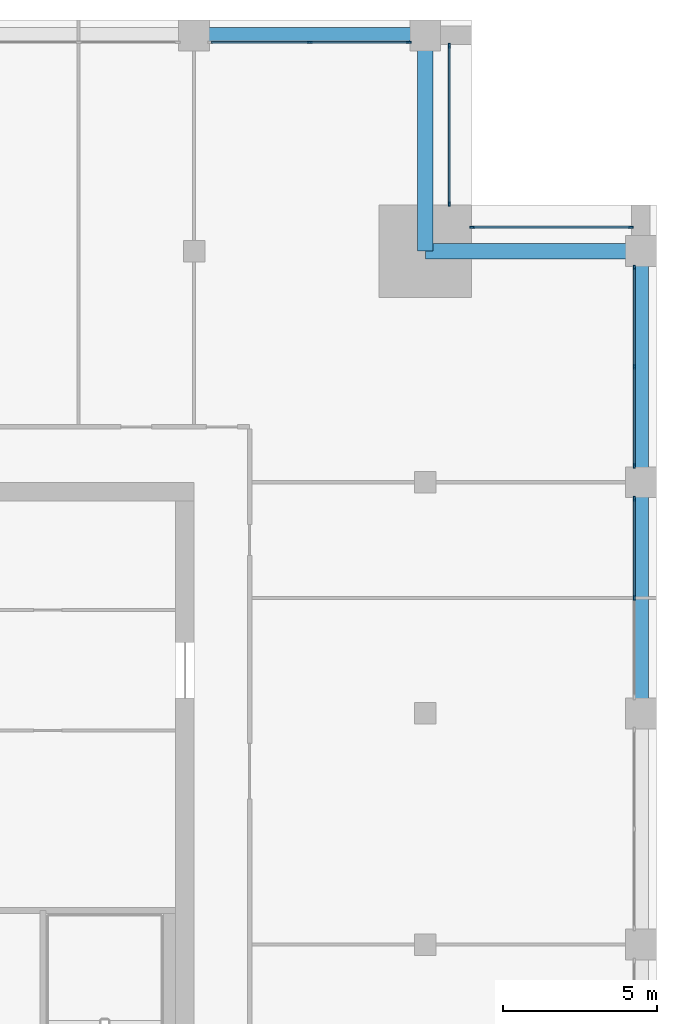
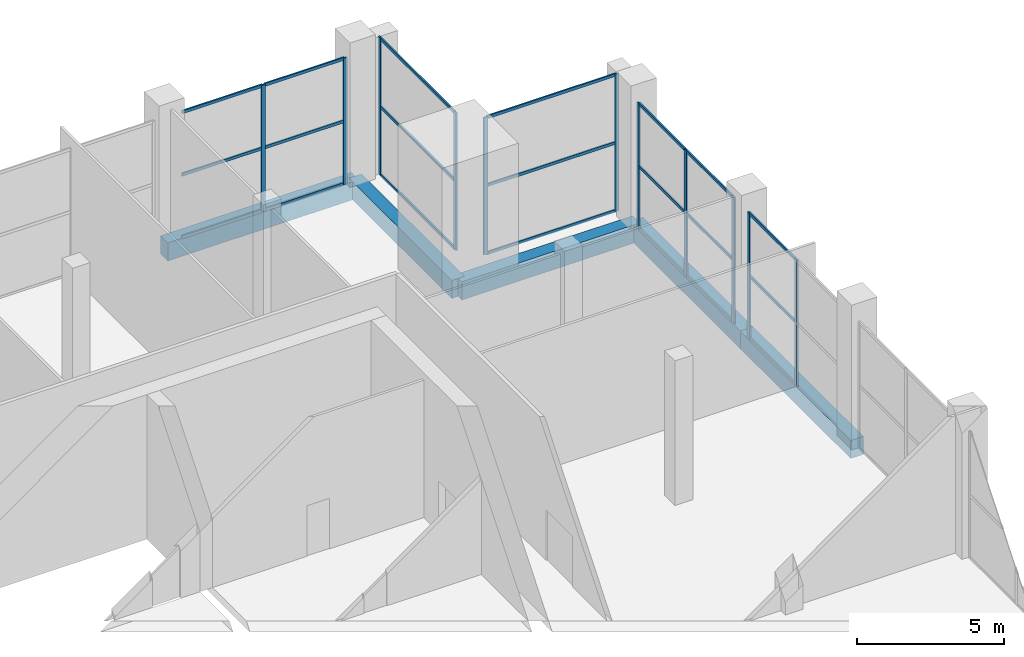
# One storey, part 6 of 15: 32 members, 5 beams, 5 elements without a shape of their own.
"""IFC4 building model written with IfcOpenShell, lengths in metres."""

from ifc_helpers import new_model, si_unit, direction, frame, origin, origin_2d, place, context, subcontext, project, spatial, rectangle, extrude, material, layer, layer_set, material_profile, profile_set, type_object, element, aggregate, save


model = new_model("IFC4")

# Units and contexts
model_context = context("Model", 3, precision=1e-05, world=origin(), true_north=direction((0.0, 1.0)))
body_context = subcontext(model_context, "Body", "Model", "MODEL_VIEW")
ifc_project = project(units=[si_unit("LENGTHUNIT", "METRE"), si_unit("AREAUNIT", "SQUARE_METRE"), si_unit("VOLUMEUNIT", "CUBIC_METRE"), si_unit("PLANEANGLEUNIT", "RADIAN"), si_unit("MASSUNIT", "GRAM", prefix="KILO")], contexts=[model_context])

# Site, building, storey
site_placement = place(None, origin())
site = spatial("IfcSite", under=ifc_project, at=site_placement, CompositionType="ELEMENT")
building_placement = place(site_placement, origin())
building = spatial("IfcBuilding", under=site, at=building_placement, Name="Tamorin Gate", CompositionType="ELEMENT")
storey_placement = place(building_placement, frame((0.0, 0.0, 302.699951171875)))
storey = spatial("IfcBuildingStorey", under=building, at=storey_placement, Name="L75", CompositionType="ELEMENT", Elevation=302.699951171875)

# Curtain wall, members
ifc_material_1 = material(Name="Aluminium mullions and transoms with clear glass", Category="aluminium")
ifc_layer = layer(ifc_material_1, 0.159912109375)
ifc_layer_set = layer_set([ifc_layer], Name="Curtain wall system CW4")
curtain_wall_type = type_object("IfcCurtainWallType", Name="Curtain wall system CW4", PredefinedType="NOTDEFINED", material=ifc_layer_set)
curtain_wall_1_placement = place(storey_placement, origin())
curtain_wall_1 = element("IfcCurtainWall", 1, at=curtain_wall_1_placement, inside=storey, type_object=curtain_wall_type, Name="Curtain wall", PredefinedType="NOTDEFINED")
ifc_material_2 = material(Name="Aluminium", Category="aluminium")
ifc_material_profile_1 = material_profile(ifc_material_2, rectangle(XDim=0.06005859375, YDim=0.159912109375, at=origin_2d()), Name="RECT 60x160")
ifc_profile_set_1 = profile_set([ifc_material_profile_1], Name="Aluminium")
member_type_1 = type_object("IfcMemberType", Name="Aluminium mullion 60x160", PredefinedType="MULLION", material=ifc_profile_set_1)
member_1_placement = place(storey_placement, frame((74.280029296875, 78.75, 0.0), z_axis=(0.0, 0.0, 1.0), x_axis=(-1.0, 0.0, 0.0)))
member_1 = element("IfcMember", 2, at=member_1_placement, type_object=member_type_1, Name="CW4 mullion 2", PredefinedType="MULLION", context=body_context, shape_type="SweptSolid", body=[
    extrude(rectangle(XDim=0.06005859375, YDim=0.159912109375, at=origin_2d()), origin(), (0.0, 0.0, 1.0), 5.25),
])
member_2_placement = place(storey_placement, frame((74.280029296875, 81.969970703125, 0.0), z_axis=(0.0, 0.0, 1.0), x_axis=(-1.0, 0.0, 0.0)))
member_2 = element("IfcMember", 3, at=member_2_placement, type_object=member_type_1, Name="CW4 mullion 3", PredefinedType="MULLION", context=body_context, shape_type="SweptSolid", body=[
    extrude(rectangle(XDim=0.06005859375, YDim=0.159912109375, at=origin_2d()), origin(), (0.0, 0.0, 1.0), 5.25),
])

curtain_wall_2_placement = place(storey_placement, origin())
curtain_wall_2 = element("IfcCurtainWall", 4, at=curtain_wall_2_placement, inside=storey, type_object=curtain_wall_type, Name="Curtain wall", PredefinedType="NOTDEFINED")
member_3_placement = place(storey_placement, frame((74.280029296875, 83.030029296875, 0.0), z_axis=(0.0, 0.0, 1.0), x_axis=(-1.0, 0.0, 0.0)))
member_3 = element("IfcMember", 5, at=member_3_placement, type_object=member_type_1, Name="CW4 mullion 1", PredefinedType="MULLION", context=body_context, shape_type="SweptSolid", body=[
    extrude(rectangle(XDim=0.06005859375, YDim=0.159912109375, at=origin_2d()), origin(), (0.0, 0.0, 1.0), 5.25),
])
member_4_placement = place(storey_placement, frame((74.280029296875, 86.25, 0.0), z_axis=(0.0, 0.0, 1.0), x_axis=(-1.0, 0.0, 0.0)))
member_4 = element("IfcMember", 6, at=member_4_placement, type_object=member_type_1, Name="CW4 mullion 2", PredefinedType="MULLION", context=body_context, shape_type="SweptSolid", body=[
    extrude(rectangle(XDim=0.06005859375, YDim=0.159912109375, at=origin_2d()), origin(), (0.0, 0.0, 1.0), 5.25),
])
member_5_placement = place(storey_placement, frame((74.280029296875, 89.469970703125, 0.0), z_axis=(0.0, 0.0, 1.0), x_axis=(-1.0, 0.0, 0.0)))
member_5 = element("IfcMember", 7, at=member_5_placement, type_object=member_type_1, Name="CW4 mullion 3", PredefinedType="MULLION", context=body_context, shape_type="SweptSolid", body=[
    extrude(rectangle(XDim=0.06005859375, YDim=0.159912109375, at=origin_2d()), origin(), (0.0, 0.0, 1.0), 5.25),
])

curtain_wall_3_placement = place(storey_placement, origin())
curtain_wall_3 = element("IfcCurtainWall", 8, at=curtain_wall_3_placement, inside=storey, type_object=curtain_wall_type, Name="Curtain wall", PredefinedType="NOTDEFINED")
member_6_placement = place(storey_placement, frame((74.169921875, 90.780029296875, 0.0), z_axis=(0.0, 0.0, 1.0), x_axis=(0.0, -1.0, 0.0)))
member_6 = element("IfcMember", 9, at=member_6_placement, type_object=member_type_1, Name="CW4 mullion 1", PredefinedType="MULLION", context=body_context, shape_type="SweptSolid", body=[
    extrude(rectangle(XDim=0.06005859375, YDim=0.159912109375, at=origin_2d()), origin(), (0.0, 0.0, 1.0), 5.699951171875),
])
member_7_placement = place(storey_placement, frame((69.030029296875, 90.780029296875, 0.0), z_axis=(0.0, 0.0, 1.0), x_axis=(0.0, -1.0, 0.0)))
member_7 = element("IfcMember", 10, at=member_7_placement, type_object=member_type_1, Name="CW4 mullion 2", PredefinedType="MULLION", context=body_context, shape_type="SweptSolid", body=[
    extrude(rectangle(XDim=0.06005859375, YDim=0.159912109375, at=origin_2d()), origin(), (0.0, 0.0, 1.0), 5.699951171875),
])

curtain_wall_4_placement = place(storey_placement, origin())
curtain_wall_4 = element("IfcCurtainWall", 11, at=curtain_wall_4_placement, inside=storey, type_object=curtain_wall_type, Name="Curtain wall", PredefinedType="NOTDEFINED")
member_8_placement = place(storey_placement, frame((68.280029296875, 91.530029296875, 0.0), z_axis=(0.0, 0.0, 1.0), x_axis=(-1.0, 0.0, 0.0)))
member_8 = element("IfcMember", 12, at=member_8_placement, type_object=member_type_1, Name="CW4 mullion 1", PredefinedType="MULLION", context=body_context, shape_type="SweptSolid", body=[
    extrude(rectangle(XDim=0.06005859375, YDim=0.159912109375, at=origin_2d()), origin(), (0.0, 0.0, 1.0), 5.699951171875),
])
member_9_placement = place(storey_placement, frame((68.280029296875, 96.669921875, 0.0), z_axis=(0.0, 0.0, 1.0), x_axis=(-1.0, 0.0, 0.0)))
member_9 = element("IfcMember", 13, at=member_9_placement, type_object=member_type_1, Name="CW4 mullion 2", PredefinedType="MULLION", context=body_context, shape_type="SweptSolid", body=[
    extrude(rectangle(XDim=0.06005859375, YDim=0.159912109375, at=origin_2d()), origin(), (0.0, 0.0, 1.0), 5.699951171875),
])

curtain_wall_5_placement = place(storey_placement, origin())
curtain_wall_5 = element("IfcCurtainWall", 14, at=curtain_wall_5_placement, inside=storey, type_object=curtain_wall_type, Name="Curtain wall", PredefinedType="NOTDEFINED")
member_10_placement = place(storey_placement, frame((66.969970703125, 96.780029296875, 0.0), z_axis=(0.0, 0.0, 1.0), x_axis=(0.0, -1.0, 0.0)))
member_10 = element("IfcMember", 15, at=member_10_placement, type_object=member_type_1, Name="CW4 mullion 1", PredefinedType="MULLION", context=body_context, shape_type="SweptSolid", body=[
    extrude(rectangle(XDim=0.06005859375, YDim=0.159912109375, at=origin_2d()), origin(), (0.0, 0.0, 1.0), 5.25),
])
member_11_placement = place(storey_placement, frame((63.75, 96.780029296875, 0.0), z_axis=(0.0, 0.0, 1.0), x_axis=(0.0, -1.0, 0.0)))
member_11 = element("IfcMember", 16, at=member_11_placement, type_object=member_type_1, Name="CW4 mullion 2", PredefinedType="MULLION", context=body_context, shape_type="SweptSolid", body=[
    extrude(rectangle(XDim=0.06005859375, YDim=0.159912109375, at=origin_2d()), origin(), (0.0, 0.0, 1.0), 5.25),
])

# Member
ifc_material_profile_2 = material_profile(ifc_material_2, rectangle(XDim=0.06005859375, YDim=0.1201171875, at=origin_2d()), Name="RECT 60x120")
ifc_profile_set_2 = profile_set([ifc_material_profile_2], Name="Aluminium")
member_type_2 = type_object("IfcMemberType", Name="Aluminium transom 60x120", PredefinedType="USERDEFINED", material=ifc_profile_set_2)
member_12_placement = place(storey_placement, frame((74.280029296875, 78.780029296875, 0.030029296875), z_axis=(0.0, 1.0, 0.0), x_axis=(-1.0, 0.0, 0.0)))
member_12 = element("IfcMember", 17, at=member_12_placement, type_object=member_type_2, Name="CW4 transom 2.1", ObjectType="TRANSOM", PredefinedType="USERDEFINED", context=body_context, shape_type="SweptSolid", body=[
    extrude(rectangle(XDim=0.06005859375, YDim=0.1201171875, at=origin_2d()), origin(), (0.0, 0.0, 1.0), 3.159912109375),
])

member_13_placement = place(storey_placement, frame((74.280029296875, 78.780029296875, 2.625), z_axis=(0.0, 1.0, 0.0), x_axis=(-1.0, 0.0, 0.0)))
member_13 = element("IfcMember", 18, at=member_13_placement, type_object=member_type_2, Name="CW4 transom 2.2", ObjectType="TRANSOM", PredefinedType="USERDEFINED", context=body_context, shape_type="SweptSolid", body=[
    extrude(rectangle(XDim=0.06005859375, YDim=0.1201171875, at=origin_2d()), origin(), (0.0, 0.0, 1.0), 3.159912109375),
])

member_14_placement = place(storey_placement, frame((74.280029296875, 78.780029296875, 5.219970703125), z_axis=(0.0, 1.0, 0.0), x_axis=(-1.0, 0.0, 0.0)))
member_14 = element("IfcMember", 19, at=member_14_placement, type_object=member_type_2, Name="CW4 transom 2.3", ObjectType="TRANSOM", PredefinedType="USERDEFINED", context=body_context, shape_type="SweptSolid", body=[
    extrude(rectangle(XDim=0.06005859375, YDim=0.1201171875, at=origin_2d()), origin(), (0.0, 0.0, 1.0), 3.159912109375),
])

aggregate(curtain_wall_1, [member_1, member_2, member_12, member_13, member_14])

member_15_placement = place(storey_placement, frame((74.280029296875, 83.06005859375, 0.030029296875), z_axis=(0.0, 1.0, 0.0), x_axis=(-1.0, 0.0, 0.0)))
member_15 = element("IfcMember", 20, at=member_15_placement, type_object=member_type_2, Name="CW4 transom 1.1", ObjectType="TRANSOM", PredefinedType="USERDEFINED", context=body_context, shape_type="SweptSolid", body=[
    extrude(rectangle(XDim=0.06005859375, YDim=0.1201171875, at=origin_2d()), origin(), (0.0, 0.0, 1.0), 3.159912109375),
])

member_16_placement = place(storey_placement, frame((74.280029296875, 83.06005859375, 2.625), z_axis=(0.0, 1.0, 0.0), x_axis=(-1.0, 0.0, 0.0)))
member_16 = element("IfcMember", 21, at=member_16_placement, type_object=member_type_2, Name="CW4 transom 1.2", ObjectType="TRANSOM", PredefinedType="USERDEFINED", context=body_context, shape_type="SweptSolid", body=[
    extrude(rectangle(XDim=0.06005859375, YDim=0.1201171875, at=origin_2d()), origin(), (0.0, 0.0, 1.0), 3.159912109375),
])

member_17_placement = place(storey_placement, frame((74.280029296875, 83.06005859375, 5.219970703125), z_axis=(0.0, 1.0, 0.0), x_axis=(-1.0, 0.0, 0.0)))
member_17 = element("IfcMember", 22, at=member_17_placement, type_object=member_type_2, Name="CW4 transom 1.3", ObjectType="TRANSOM", PredefinedType="USERDEFINED", context=body_context, shape_type="SweptSolid", body=[
    extrude(rectangle(XDim=0.06005859375, YDim=0.1201171875, at=origin_2d()), origin(), (0.0, 0.0, 1.0), 3.159912109375),
])

member_18_placement = place(storey_placement, frame((74.280029296875, 86.280029296875, 0.030029296875), z_axis=(0.0, 1.0, 0.0), x_axis=(-1.0, 0.0, 0.0)))
member_18 = element("IfcMember", 23, at=member_18_placement, type_object=member_type_2, Name="CW4 transom 2.1", ObjectType="TRANSOM", PredefinedType="USERDEFINED", context=body_context, shape_type="SweptSolid", body=[
    extrude(rectangle(XDim=0.06005859375, YDim=0.1201171875, at=origin_2d()), origin(), (0.0, 0.0, 1.0), 3.159912109375),
])

member_19_placement = place(storey_placement, frame((74.280029296875, 86.280029296875, 2.625), z_axis=(0.0, 1.0, 0.0), x_axis=(-1.0, 0.0, 0.0)))
member_19 = element("IfcMember", 24, at=member_19_placement, type_object=member_type_2, Name="CW4 transom 2.2", ObjectType="TRANSOM", PredefinedType="USERDEFINED", context=body_context, shape_type="SweptSolid", body=[
    extrude(rectangle(XDim=0.06005859375, YDim=0.1201171875, at=origin_2d()), origin(), (0.0, 0.0, 1.0), 3.159912109375),
])

member_20_placement = place(storey_placement, frame((74.280029296875, 86.280029296875, 5.219970703125), z_axis=(0.0, 1.0, 0.0), x_axis=(-1.0, 0.0, 0.0)))
member_20 = element("IfcMember", 25, at=member_20_placement, type_object=member_type_2, Name="CW4 transom 2.3", ObjectType="TRANSOM", PredefinedType="USERDEFINED", context=body_context, shape_type="SweptSolid", body=[
    extrude(rectangle(XDim=0.06005859375, YDim=0.1201171875, at=origin_2d()), origin(), (0.0, 0.0, 1.0), 3.159912109375),
])

aggregate(curtain_wall_2, [member_3, member_4, member_5, member_15, member_16, member_17, member_18, member_19, member_20])

member_21_placement = place(storey_placement, frame((74.139892578125, 90.780029296875, 0.030029296875), z_axis=(-1.0, 0.0, 0.0), x_axis=(0.0, -1.0, 0.0)))
member_21 = element("IfcMember", 26, at=member_21_placement, type_object=member_type_2, Name="CW4 transom 1.1", ObjectType="TRANSOM", PredefinedType="USERDEFINED", context=body_context, shape_type="SweptSolid", body=[
    extrude(rectangle(XDim=0.06005859375, YDim=0.1201171875, at=origin_2d()), origin(), (0.0, 0.0, 1.0), 5.079833984375),
])

member_22_placement = place(storey_placement, frame((74.139892578125, 90.780029296875, 2.85009765625), z_axis=(-1.0, 0.0, 0.0), x_axis=(0.0, -1.0, 0.0)))
member_22 = element("IfcMember", 27, at=member_22_placement, type_object=member_type_2, Name="CW4 transom 1.2", ObjectType="TRANSOM", PredefinedType="USERDEFINED", context=body_context, shape_type="SweptSolid", body=[
    extrude(rectangle(XDim=0.06005859375, YDim=0.1201171875, at=origin_2d()), origin(), (0.0, 0.0, 1.0), 5.079833984375),
])

member_23_placement = place(storey_placement, frame((74.139892578125, 90.780029296875, 5.670166015625), z_axis=(-1.0, 0.0, 0.0), x_axis=(0.0, -1.0, 0.0)))
member_23 = element("IfcMember", 28, at=member_23_placement, type_object=member_type_2, Name="CW4 transom 1.3", ObjectType="TRANSOM", PredefinedType="USERDEFINED", context=body_context, shape_type="SweptSolid", body=[
    extrude(rectangle(XDim=0.06005859375, YDim=0.1201171875, at=origin_2d()), origin(), (0.0, 0.0, 1.0), 5.079833984375),
])

aggregate(curtain_wall_3, [member_6, member_7, member_21, member_22, member_23])

member_24_placement = place(storey_placement, frame((68.280029296875, 91.56005859375, 0.030029296875), z_axis=(0.0, 1.0, 0.0), x_axis=(-1.0, 0.0, 0.0)))
member_24 = element("IfcMember", 29, at=member_24_placement, type_object=member_type_2, Name="CW4 transom 1.1", ObjectType="TRANSOM", PredefinedType="USERDEFINED", context=body_context, shape_type="SweptSolid", body=[
    extrude(rectangle(XDim=0.06005859375, YDim=0.1201171875, at=origin_2d()), origin(), (0.0, 0.0, 1.0), 5.079833984375),
])

member_25_placement = place(storey_placement, frame((68.280029296875, 91.56005859375, 2.85009765625), z_axis=(0.0, 1.0, 0.0), x_axis=(-1.0, 0.0, 0.0)))
member_25 = element("IfcMember", 30, at=member_25_placement, type_object=member_type_2, Name="CW4 transom 1.2", ObjectType="TRANSOM", PredefinedType="USERDEFINED", context=body_context, shape_type="SweptSolid", body=[
    extrude(rectangle(XDim=0.06005859375, YDim=0.1201171875, at=origin_2d()), origin(), (0.0, 0.0, 1.0), 5.079833984375),
])

member_26_placement = place(storey_placement, frame((68.280029296875, 91.56005859375, 5.670166015625), z_axis=(0.0, 1.0, 0.0), x_axis=(-1.0, 0.0, 0.0)))
member_26 = element("IfcMember", 31, at=member_26_placement, type_object=member_type_2, Name="CW4 transom 1.3", ObjectType="TRANSOM", PredefinedType="USERDEFINED", context=body_context, shape_type="SweptSolid", body=[
    extrude(rectangle(XDim=0.06005859375, YDim=0.1201171875, at=origin_2d()), origin(), (0.0, 0.0, 1.0), 5.079833984375),
])

aggregate(curtain_wall_4, [member_8, member_9, member_24, member_25, member_26])

member_27_placement = place(storey_placement, frame((66.93994140625, 96.780029296875, 0.030029296875), z_axis=(-1.0, 0.0, 0.0), x_axis=(0.0, -1.0, 0.0)))
member_27 = element("IfcMember", 32, at=member_27_placement, type_object=member_type_2, Name="CW4 transom 1.1", ObjectType="TRANSOM", PredefinedType="USERDEFINED", context=body_context, shape_type="SweptSolid", body=[
    extrude(rectangle(XDim=0.06005859375, YDim=0.1201171875, at=origin_2d()), origin(), (0.0, 0.0, 1.0), 3.159912109375),
])

member_28_placement = place(storey_placement, frame((66.93994140625, 96.780029296875, 2.625), z_axis=(-1.0, 0.0, 0.0), x_axis=(0.0, -1.0, 0.0)))
member_28 = element("IfcMember", 33, at=member_28_placement, type_object=member_type_2, Name="CW4 transom 1.2", ObjectType="TRANSOM", PredefinedType="USERDEFINED", context=body_context, shape_type="SweptSolid", body=[
    extrude(rectangle(XDim=0.06005859375, YDim=0.1201171875, at=origin_2d()), origin(), (0.0, 0.0, 1.0), 3.159912109375),
])

member_29_placement = place(storey_placement, frame((66.93994140625, 96.780029296875, 5.219970703125), z_axis=(-1.0, 0.0, 0.0), x_axis=(0.0, -1.0, 0.0)))
member_29 = element("IfcMember", 34, at=member_29_placement, type_object=member_type_2, Name="CW4 transom 1.3", ObjectType="TRANSOM", PredefinedType="USERDEFINED", context=body_context, shape_type="SweptSolid", body=[
    extrude(rectangle(XDim=0.06005859375, YDim=0.1201171875, at=origin_2d()), origin(), (0.0, 0.0, 1.0), 3.159912109375),
])

member_30_placement = place(storey_placement, frame((63.719970703125, 96.780029296875, 0.030029296875), z_axis=(-1.0, 0.0, 0.0), x_axis=(0.0, -1.0, 0.0)))
member_30 = element("IfcMember", 35, at=member_30_placement, type_object=member_type_2, Name="CW4 transom 2.1", ObjectType="TRANSOM", PredefinedType="USERDEFINED", context=body_context, shape_type="SweptSolid", body=[
    extrude(rectangle(XDim=0.06005859375, YDim=0.1201171875, at=origin_2d()), origin(), (0.0, 0.0, 1.0), 3.159912109375),
])

member_31_placement = place(storey_placement, frame((63.719970703125, 96.780029296875, 2.625), z_axis=(-1.0, 0.0, 0.0), x_axis=(0.0, -1.0, 0.0)))
member_31 = element("IfcMember", 36, at=member_31_placement, type_object=member_type_2, Name="CW4 transom 2.2", ObjectType="TRANSOM", PredefinedType="USERDEFINED", context=body_context, shape_type="SweptSolid", body=[
    extrude(rectangle(XDim=0.06005859375, YDim=0.1201171875, at=origin_2d()), origin(), (0.0, 0.0, 1.0), 3.159912109375),
])

member_32_placement = place(storey_placement, frame((63.719970703125, 96.780029296875, 5.219970703125), z_axis=(-1.0, 0.0, 0.0), x_axis=(0.0, -1.0, 0.0)))
member_32 = element("IfcMember", 37, at=member_32_placement, type_object=member_type_2, Name="CW4 transom 2.3", ObjectType="TRANSOM", PredefinedType="USERDEFINED", context=body_context, shape_type="SweptSolid", body=[
    extrude(rectangle(XDim=0.06005859375, YDim=0.1201171875, at=origin_2d()), origin(), (0.0, 0.0, 1.0), 3.159912109375),
])

aggregate(curtain_wall_5, [member_10, member_11, member_27, member_28, member_29, member_30, member_31, member_32])

# Beams
ifc_material_3 = material(Name="Concrete C50/60", Category="concrete")
ifc_material_profile_3 = material_profile(ifc_material_3, rectangle(XDim=0.5, YDim=0.75, at=origin_2d()), Name="RC 500x750")
ifc_profile_set_3 = profile_set([ifc_material_profile_3], Name="Concrete C50/60")
beam_type = type_object("IfcBeamType", Name="RC spandrel 500x750 C50/60", PredefinedType="BEAM", material=ifc_profile_set_3)
for number, where, z_axis, x_axis, name in (
    (38, (74.5, 75.0, -0.375), (0.0, 1.0, 0.0), (-1.0, 0.0, 0.0), "Spandrel beam L75"),
    (39, (74.5, 82.5, -0.375), (0.0, 1.0, 0.0), (-1.0, 0.0, 0.0), "Spandrel beam L75"),
    (40, (67.5, 97.0, -0.375), (-1.0, 0.0, 0.0), (0.0, -1.0, 0.0), "Spandrel beam L75"),
):
    element("IfcBeam", number, at=place(storey_placement, frame(where, z_axis=z_axis, x_axis=x_axis)), inside=storey, type_object=beam_type, Name=name, PredefinedType="BEAM", context=body_context, shape_type="SweptSolid", body=[
        extrude(rectangle(XDim=0.5, YDim=0.75, at=origin_2d()), origin(), (0.0, 0.0, 1.0), 7.5),
    ])
for number, where, z_axis, x_axis, name in (
    (41, (67.5, 90.0, -0.375), (0.0, 1.0, 0.0), (-1.0, 0.0, 0.0), "Corner tie beam L75"),
    (42, (67.5, 90.0, -0.375), (1.0, 0.0, 0.0), (0.0, 1.0, 0.0), "Corner tie beam L75"),
):
    element("IfcBeam", number, at=place(storey_placement, frame(where, z_axis=z_axis, x_axis=x_axis)), inside=storey, type_object=beam_type, Name=name, PredefinedType="BEAM", context=body_context, shape_type="SweptSolid", body=[
        extrude(rectangle(XDim=0.5, YDim=0.75, at=origin_2d()), origin(), (0.0, 0.0, 1.0), 7.0),
    ])

save(model, "model.ifc")
